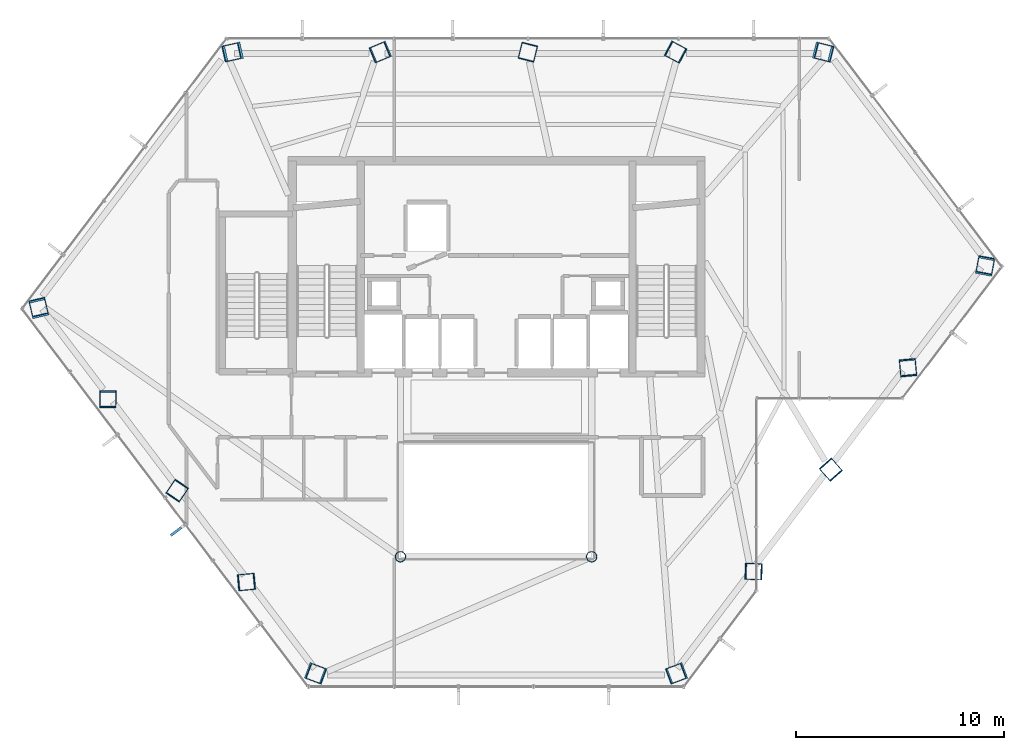
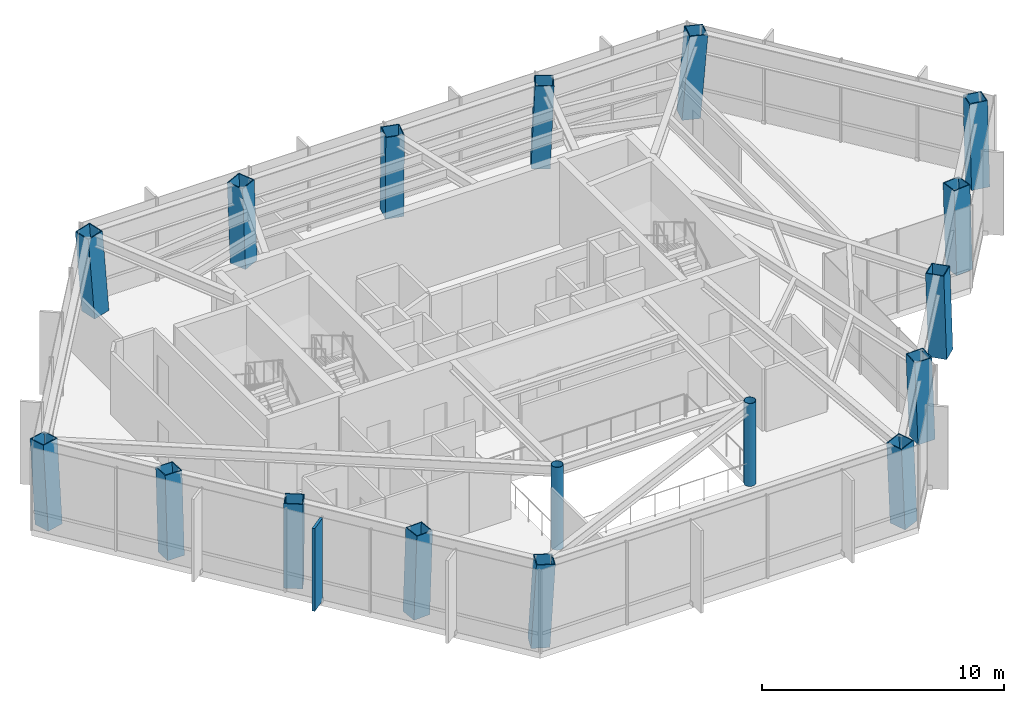
# One storey, part 1 of 25: 17 columns, 1 member, 1 element without a shape of its own.
"""IFC4 building model written with IfcOpenShell, lengths in metres."""

from ifc_helpers import new_model, si_unit, direction, frame, origin, origin_2d, place, context, subcontext, project, spatial, rectangle, hollow_rectangle, hollow_circle, extrude, material, layer, layer_set, material_profile, profile_set, type_object, element, aggregate, save


model = new_model("IFC4")

# Units and contexts
model_context = context("Model", 3, precision=1e-05, world=origin(), true_north=direction((0.0, 1.0)))
body_context = subcontext(model_context, "Body", "Model", "MODEL_VIEW")
ifc_project = project(units=[si_unit("LENGTHUNIT", "METRE"), si_unit("AREAUNIT", "SQUARE_METRE"), si_unit("VOLUMEUNIT", "CUBIC_METRE"), si_unit("PLANEANGLEUNIT", "RADIAN"), si_unit("MASSUNIT", "GRAM", prefix="KILO")], contexts=[model_context])

# Site, building, storey
site_placement = place(None, origin())
site = spatial("IfcSite", under=ifc_project, at=site_placement, CompositionType="ELEMENT")
building_placement = place(site_placement, origin())
building = spatial("IfcBuilding", under=site, at=building_placement, Name="Zarrinselat Tower", CompositionType="ELEMENT")
storey_placement = place(building_placement, frame((0.0, 0.0, 119.0)))
storey = spatial("IfcBuildingStorey", under=building, at=storey_placement, Name="L28", CompositionType="ELEMENT", Elevation=119.0)

# Columns
ifc_material_1 = material(Name="Steel S355J2", Category="steel")
ifc_material_profile_1 = material_profile(ifc_material_1, hollow_circle(Radius=0.25390625, WallThickness=0.02001953125, at=origin_2d()), Name="CHS 508x20")
ifc_profile_set_1 = profile_set([ifc_material_profile_1], Name="Steel S355J2")
column_type_1 = type_object("IfcColumnType", Name="COL-CHS508", PredefinedType="COLUMN", material=ifc_profile_set_1)
for number, where, z_axis, x_axis, name in (
    (1, (33.800048828125, 24.39990234375, 0.0), (0.0, 0.0, 1.0), (1.0, 0.0, 0.0), "L28 Atrium Corner Column 1"),
    (2, (43.0, 24.39990234375, 0.0), (0.0, 0.0, 1.0), (1.0, 0.0, 0.0), "L28 Atrium Corner Column 2"),
):
    element("IfcColumn", number, at=place(storey_placement, frame(where, z_axis=z_axis, x_axis=x_axis)), inside=storey, type_object=column_type_1, Name=name, PredefinedType="COLUMN", context=body_context, shape_type="SweptSolid", body=[
        extrude(hollow_circle(Radius=0.25390625, WallThickness=0.02001953125, at=origin_2d()), origin(), (0.0, 0.0, 1.0), 4.179931640625),
    ])
ifc_material_2 = material(Name="Steel S460M", Category="steel")
ifc_material_profile_2 = material_profile(ifc_material_2, hollow_rectangle(XDim=0.800048828125, YDim=0.800048828125, WallThickness=0.0400390625, at=origin_2d()), Name="SHS 800x800x40")
ifc_profile_set_2 = profile_set([ifc_material_profile_2], Name="Steel S460M")
column_type_2 = type_object("IfcColumnType", Name="COL-SHS800", PredefinedType="COLUMN", material=ifc_profile_set_2)
column_1_placement = place(storey_placement, frame((54.103271484375, 48.6943359375, 0.0), z_axis=(0.074251571409, -0.018519215457, 0.997067571834), x_axis=(0.241998410475, 0.970276645771, 0.0)))
element("IfcColumn", 3, at=column_1_placement, inside=storey, type_object=column_type_2, Name="L28 Framed-Tube Column T01", PredefinedType="COLUMN", context=body_context, shape_type="SweptSolid", body=[
    extrude(hollow_rectangle(XDim=0.800048828125, YDim=0.800048828125, WallThickness=0.0400390625, at=origin_2d()), origin(), (0.0, 0.0, 1.0), 4.192138671875),
])
column_2_placement = place(storey_placement, frame((47.019287109375, 48.6943359375, 0.0), z_axis=(0.03484227719, -0.018559202925, 0.999220482029), x_axis=(0.470127773205, 0.882598366677, 0.0)))
element("IfcColumn", 4, at=column_2_placement, inside=storey, type_object=column_type_2, Name="L28 Framed-Tube Column T02", PredefinedType="COLUMN", context=body_context, shape_type="SweptSolid", body=[
    extrude(hollow_rectangle(XDim=0.800048828125, YDim=0.800048828125, WallThickness=0.0400390625, at=origin_2d()), origin(), (0.0, 0.0, 1.0), 4.18310546875),
])
column_3_placement = place(storey_placement, frame((39.935302734375, 48.6943359375, 0.0), z_axis=(-0.004730163299, -0.01857027073, 0.99981636844), x_axis=(0.969057425642, -0.246835382003, 0.0)))
element("IfcColumn", 5, at=column_3_placement, inside=storey, type_object=column_type_2, Name="L28 Framed-Tube Column T03", PredefinedType="COLUMN", context=body_context, shape_type="SweptSolid", body=[
    extrude(hollow_rectangle(XDim=0.800048828125, YDim=0.800048828125, WallThickness=0.0400390625, at=origin_2d()), origin(), (0.0, 0.0, 1.0), 4.1806640625),
])
column_4_placement = place(storey_placement, frame((32.851318359375, 48.6943359375, 0.0), z_axis=(-0.044280402456, -0.018552263479, 0.998846864879), x_axis=(0.386426625093, -0.922320152344, 0.0)))
element("IfcColumn", 6, at=column_4_placement, inside=storey, type_object=column_type_2, Name="L28 Framed-Tube Column T04", PredefinedType="COLUMN", context=body_context, shape_type="SweptSolid", body=[
    extrude(hollow_rectangle(XDim=0.800048828125, YDim=0.800048828125, WallThickness=0.0400390625, at=origin_2d()), origin(), (0.0, 0.0, 1.0), 4.184814453125),
])
column_5_placement = place(storey_placement, frame((25.767333984375, 48.6943359375, 0.0), z_axis=(-0.083623610974, -0.018505433744, 0.996325569585), x_axis=(0.216067063964, -0.976378524892, 0.0)))
element("IfcColumn", 7, at=column_5_placement, inside=storey, type_object=column_type_2, Name="L28 Framed-Tube Column T05", PredefinedType="COLUMN", context=body_context, shape_type="SweptSolid", body=[
    extrude(hollow_rectangle(XDim=0.800048828125, YDim=0.800048828125, WallThickness=0.0400390625, at=origin_2d()), origin(), (0.0, 0.0, 1.0), 4.1953125),
])
column_6_placement = place(storey_placement, frame((16.404296875, 36.335205078125, 0.0), z_axis=(-0.016544754326, 0.070082181176, 0.997404009911), x_axis=(-0.973247140066, -0.229760754596, 0.0)))
element("IfcColumn", 8, at=column_6_placement, inside=storey, type_object=column_type_2, Name="L28 Framed-Tube Column T06", PredefinedType="COLUMN", context=body_context, shape_type="SweptSolid", body=[
    extrude(hollow_rectangle(XDim=0.800048828125, YDim=0.800048828125, WallThickness=0.0400390625, at=origin_2d()), origin(), (0.0, 0.0, 1.0), 4.19091796875),
])
column_7_placement = place(storey_placement, frame((19.72607421875, 31.95068359375, 0.0), z_axis=(0.000350045548, 0.047839558241, 0.998854971523), x_axis=(-0.999973231295, 0.007316877302, 0.0)))
element("IfcColumn", 9, at=column_7_placement, inside=storey, type_object=column_type_2, Name="L28 Framed-Tube Column T07", PredefinedType="COLUMN", context=body_context, shape_type="SweptSolid", body=[
    extrude(hollow_rectangle(XDim=0.800048828125, YDim=0.800048828125, WallThickness=0.0400390625, at=origin_2d()), origin(), (0.0, 0.0, 1.0), 4.184814453125),
])
column_8_placement = place(storey_placement, frame((23.047607421875, 27.566162109375, 0.0), z_axis=(0.017338888501, 0.02545372184, 0.999525622978), x_axis=(-0.826467889679, 0.56298386063, 0.0)))
element("IfcColumn", 10, at=column_8_placement, inside=storey, type_object=column_type_2, Name="L28 Framed-Tube Column T08", PredefinedType="COLUMN", context=body_context, shape_type="SweptSolid", body=[
    extrude(hollow_rectangle(XDim=0.800048828125, YDim=0.800048828125, WallThickness=0.0400390625, at=origin_2d()), origin(), (0.0, 0.0, 1.0), 4.181884765625),
])
column_9_placement = place(storey_placement, frame((26.369140625, 23.181640625, 0.0), z_axis=(0.03432339393, 0.003035402184, 0.999406169164), x_axis=(-0.088091571088, 0.99611238076, 0.0)))
element("IfcColumn", 11, at=column_9_placement, inside=storey, type_object=column_type_2, Name="L28 Framed-Tube Column T09", PredefinedType="COLUMN", context=body_context, shape_type="SweptSolid", body=[
    extrude(hollow_rectangle(XDim=0.800048828125, YDim=0.800048828125, WallThickness=0.0400390625, at=origin_2d()), origin(), (0.0, 0.0, 1.0), 4.182373046875),
])
for number, where, z_axis, x_axis, name in (
    (12, (29.690673828125, 18.797119140625, 0.0), (0.051205208625, -0.01930401373, 0.998501568183), (0.352758005187, 0.935714587776, 0.0), "L28 Framed-Tube Column T10"),
    (13, (47.109375, 18.797119140625, 0.0), (-0.051205208625, -0.01930401373, 0.998501568183), (0.352758005187, -0.935714587776, 0.0), "L28 Framed-Tube Column T11"),
):
    element("IfcColumn", number, at=place(storey_placement, frame(where, z_axis=z_axis, x_axis=x_axis)), inside=storey, type_object=column_type_2, Name=name, PredefinedType="COLUMN", context=body_context, shape_type="SweptSolid", body=[
        extrude(hollow_rectangle(XDim=0.800048828125, YDim=0.800048828125, WallThickness=0.0400390625, at=origin_2d()), origin(), (0.0, 0.0, 1.0), 4.186279296875),
    ])
column_10_placement = place(storey_placement, frame((50.814697265625, 23.688232421875, 0.0), z_axis=(-0.035489532657, 0.001517644489, 0.999368895767), x_axis=(-0.04272411121, -0.999086908292, 0.0)))
element("IfcColumn", 14, at=column_10_placement, inside=storey, type_object=column_type_2, Name="L28 Framed-Tube Column T12", PredefinedType="COLUMN", context=body_context, shape_type="SweptSolid", body=[
    extrude(hollow_rectangle(XDim=0.800048828125, YDim=0.800048828125, WallThickness=0.0400390625, at=origin_2d()), origin(), (0.0, 0.0, 1.0), 4.1826171875),
])
column_11_placement = place(storey_placement, frame((54.520263671875, 28.579345703125, 0.0), z_axis=(-0.01973305662, 0.022360238715, 0.999555214183), x_axis=(-0.749780722647, -0.661686381866, 0.0)))
element("IfcColumn", 15, at=column_11_placement, inside=storey, type_object=column_type_2, Name="L28 Framed-Tube Column T13", PredefinedType="COLUMN", context=body_context, shape_type="SweptSolid", body=[
    extrude(hollow_rectangle(XDim=0.800048828125, YDim=0.800048828125, WallThickness=0.0400390625, at=origin_2d()), origin(), (0.0, 0.0, 1.0), 4.181884765625),
])
column_12_placement = place(storey_placement, frame((58.2255859375, 33.470703125, 0.0), z_axis=(-0.003909652616, 0.043122884822, 0.999062125907), x_axis=(-0.995915269482, -0.090292724026, 0.0)))
element("IfcColumn", 16, at=column_12_placement, inside=storey, type_object=column_type_2, Name="L28 Framed-Tube Column T14", PredefinedType="COLUMN", context=body_context, shape_type="SweptSolid", body=[
    extrude(hollow_rectangle(XDim=0.800048828125, YDim=0.800048828125, WallThickness=0.0400390625, at=origin_2d()), origin(), (0.0, 0.0, 1.0), 4.183837890625),
])
column_13_placement = place(storey_placement, frame((61.930908203125, 38.36181640625, 0.0), z_axis=(0.011890012383, 0.063879674371, 0.997886774543), x_axis=(-0.983115041424, 0.182988566105, 0.0)))
element("IfcColumn", 17, at=column_13_placement, inside=storey, type_object=column_type_2, Name="L28 Framed-Tube Column T15", PredefinedType="COLUMN", context=body_context, shape_type="SweptSolid", body=[
    extrude(hollow_rectangle(XDim=0.800048828125, YDim=0.800048828125, WallThickness=0.0400390625, at=origin_2d()), origin(), (0.0, 0.0, 1.0), 4.188720703125),
])

# Curtain wall, member
ifc_material_3 = material(Name="Extruded Aluminium Alloy EN AW-6063 T6", Category="aluminium")
ifc_layer = layer(ifc_material_3, 0.195068359375)
ifc_layer_set = layer_set([ifc_layer], Name="Extruded Aluminium Alloy EN AW-6063 T6")
curtain_wall_type = type_object("IfcCurtainWallType", Name="CWS-GDN", PredefinedType="NOTDEFINED", material=ifc_layer_set)
curtain_wall_placement = place(storey_placement, origin())
curtain_wall = element("IfcCurtainWall", 18, at=curtain_wall_placement, inside=storey, type_object=curtain_wall_type, Name="L28 Unitised Curtain Wall CW-L28-E02", PredefinedType="NOTDEFINED")
ifc_material_4 = material(Name="Honed Cream Travertine Stone", Category="masonry")
ifc_material_profile_3 = material_profile(ifc_material_4, rectangle(XDim=0.1201171875, YDim=0.85009765625, at=origin_2d()), Name="FIN 850x120")
ifc_profile_set_3 = profile_set([ifc_material_profile_3], Name="Honed Cream Travertine Stone")
member_type = type_object("IfcMemberType", Name="MEM-STONE-FIN", PredefinedType="USERDEFINED", material=ifc_profile_set_3)
member_placement = place(storey_placement, frame((23.08544921875, 25.677734375, 0.0), z_axis=(0.0, 0.0, 1.0), x_axis=(-0.603858025511, 0.79709189246, 0.0)))
member = element("IfcMember", 19, at=member_placement, type_object=member_type, Name="L28 Stone Shading Fin CW-L28-E02-03", ObjectType="FIN", PredefinedType="USERDEFINED", context=body_context, shape_type="SweptSolid", body=[
    extrude(rectangle(XDim=0.1201171875, YDim=0.85009765625, at=origin_2d()), origin(), (0.0, 0.0, 1.0), 4.179931640625),
])
aggregate(curtain_wall, [member])

save(model, "model.ifc")
